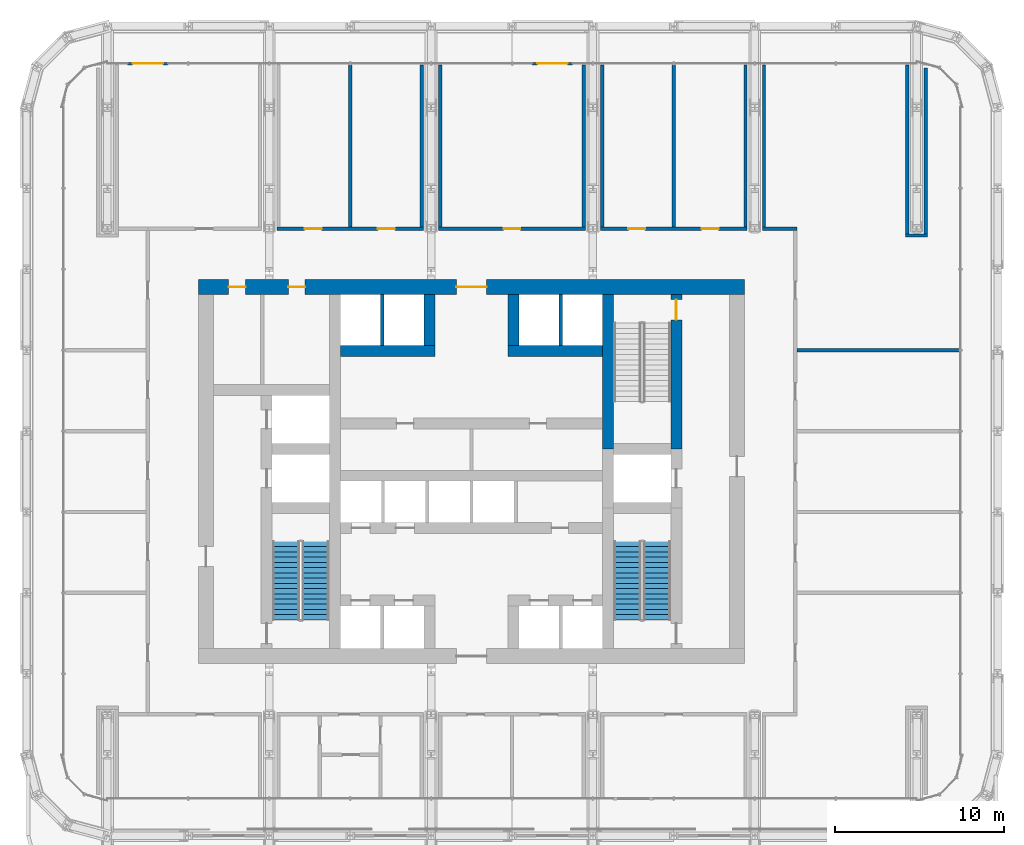
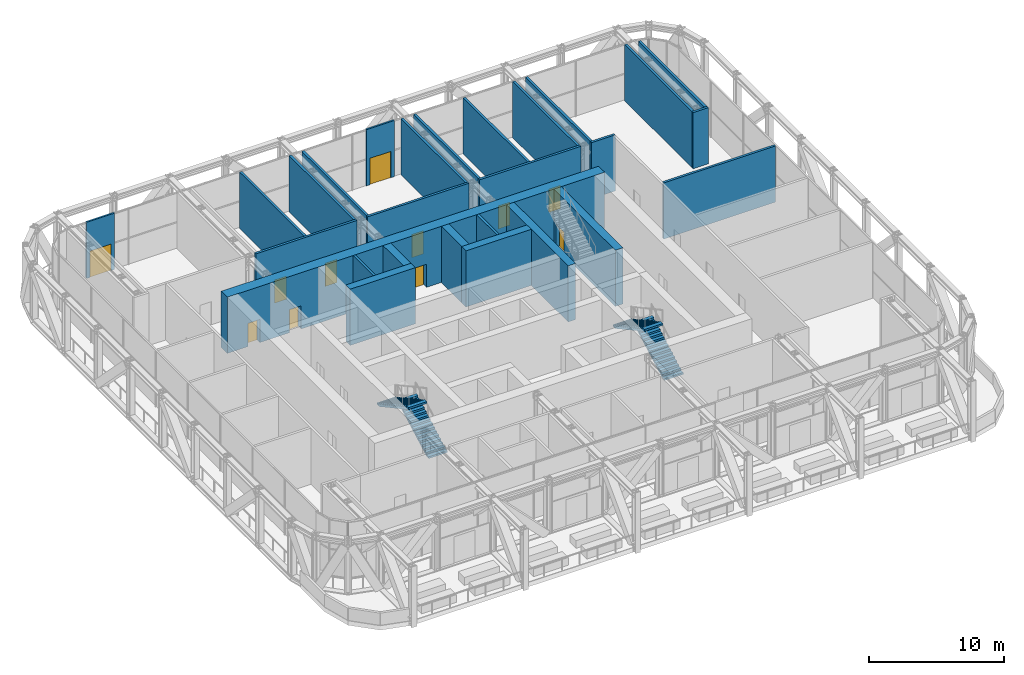
# One storey, part 17 of 23: 27 walls, 11 doors, 4 stair flights, 11 openings, 2 elements without a shape of their own.
"""IFC4 building model written with IfcOpenShell, lengths in metres."""

from ifc_helpers import new_model, si_unit, direction, frame, frame_2d, origin, place, context, subcontext, project, spatial, polyline, rectangle, outline, extrude, material, layer, layer_set, type_object, element, fill, aggregate, save


model = new_model("IFC4")

# Units and contexts
model_context = context("Model", 3, precision=1e-05, world=origin(), true_north=direction((0.0, 1.0)))
body_context = subcontext(model_context, "Body", "Model", "MODEL_VIEW")
ifc_project = project(units=[si_unit("LENGTHUNIT", "METRE"), si_unit("AREAUNIT", "SQUARE_METRE"), si_unit("VOLUMEUNIT", "CUBIC_METRE"), si_unit("PLANEANGLEUNIT", "RADIAN"), si_unit("MASSUNIT", "GRAM", prefix="KILO")], contexts=[model_context])

# Site, building, storey
site_placement = place(None, origin())
site = spatial("IfcSite", under=ifc_project, at=site_placement, CompositionType="ELEMENT")
building_placement = place(site_placement, origin())
building = spatial("IfcBuilding", under=site, at=building_placement, Name="Madar Terraces", CompositionType="ELEMENT")
storey_placement = place(building_placement, frame((0.0, 0.0, 83.800048828125)))
storey = spatial("IfcBuildingStorey", under=building, at=storey_placement, Name="L21", CompositionType="ELEMENT", Elevation=83.800048828125)

# Wall
ifc_material_1 = material(Name="Concrete C80/95", Category="concrete")
ifc_layer_1 = layer(ifc_material_1, 0.64990234375)
ifc_layer_set_1 = layer_set([ifc_layer_1], Name="Concrete C80/95 (CIW2 RC wall 650)")
wall_type_1 = type_object("IfcWallType", Name="CIW2 RC wall 650", PredefinedType="SHEAR", material=ifc_layer_set_1)
wall_1_placement = place(storey_placement, frame((39.300048828125, 27.75, 0.0), z_axis=(0.0, 0.0, 1.0), x_axis=(0.0, 1.0, 0.0)))
element("IfcWall", 1, at=wall_1_placement, inside=storey, type_object=wall_type_1, Name="CORE SHAFT WALL", PredefinedType="SHEAR", context=body_context, shape_type="SweptSolid", body=[
    extrude(rectangle(XDim=9.14990234375, YDim=0.64990234375, at=frame_2d((4.574951171875, 0.0))), origin(), (0.0, 0.0, 1.0), 5.099853515625),
])

# Wall, opening, door
wall_2_placement = place(storey_placement, frame((43.35009765625, 27.75, 0.0), z_axis=(0.0, 0.0, 1.0), x_axis=(0.0, 1.0, 0.0)))
wall_2 = element("IfcWall", 2, at=wall_2_placement, inside=storey, type_object=wall_type_1, Name="CORE SHAFT WALL", PredefinedType="SHEAR", context=body_context, shape_type="SweptSolid", body=[
    extrude(rectangle(XDim=9.14990234375, YDim=0.64990234375, at=frame_2d((4.574951171875, 0.0))), origin(), (0.0, 0.0, 1.0), 5.099853515625),
])
opening_1_placement = place(wall_2_placement, frame((7.64990234375, 0.0, 0.0)))
opening_1 = element("IfcOpeningElement", 3, at=opening_1_placement, cuts=wall_2, Name="Opening SD1", PredefinedType="OPENING", context=body_context, shape_type="SweptSolid", body=[
    extrude(rectangle(XDim=1.199951171875, YDim=2.10009765625, at=frame_2d((0.60009765625, 1.050048828125))), frame((0.0, 0.3349609375, 0.0), z_axis=(0.0, -1.0, 0.0), x_axis=(1.0, 0.0, 0.0)), (0.0, 0.0, 1.0), 0.669921875),
])
ifc_material_2 = material(Name="Steel door leaf", Category="steel")
door_type_1 = type_object("IfcDoorType", Name="Stair door 1200 x 2100", OperationType="NOTDEFINED", PredefinedType="DOOR", material=ifc_material_2)
door_1_placement = place(opening_1_placement, origin())
door_1 = element("IfcDoor", 4, at=door_1_placement, inside=storey, type_object=door_type_1, Name="STAIR DOOR", OperationType="SINGLE_SWING_LEFT", OverallHeight=2.10009765625, OverallWidth=1.199951171875, PredefinedType="DOOR", context=body_context, shape_type="SweptSolid", body=[
    extrude(rectangle(XDim=1.199951171875, YDim=2.10009765625, at=frame_2d((0.60009765625, 1.050048828125))), frame((0.0, 0.02490234375, 0.0), z_axis=(0.0, -1.0, 0.0), x_axis=(1.0, 0.0, 0.0)), (0.0, 0.0, 1.0), 0.050048828125),
])
fill(opening_1, door_1)

# Walls
wall_3_placement = place(storey_placement, frame((23.425048828125, 33.550048828125, 0.0), z_axis=(0.0, 0.0, 1.0), x_axis=(1.0, 0.0, 0.0)))
element("IfcWall", 5, at=wall_3_placement, inside=storey, type_object=wall_type_1, Name="CORE SHAFT WALL", PredefinedType="SHEAR", context=body_context, shape_type="SweptSolid", body=[
    extrude(rectangle(XDim=5.599853515625, YDim=0.64990234375, at=frame_2d((2.7998046875, 0.0))), origin(), (0.0, 0.0, 1.0), 5.099853515625),
])
wall_4_placement = place(storey_placement, frame((33.375, 33.550048828125, 0.0), z_axis=(0.0, 0.0, 1.0), x_axis=(1.0, 0.0, 0.0)))
element("IfcWall", 6, at=wall_4_placement, inside=storey, type_object=wall_type_1, Name="CORE SHAFT WALL", PredefinedType="SHEAR", context=body_context, shape_type="SweptSolid", body=[
    extrude(rectangle(XDim=5.60009765625, YDim=0.64990234375, at=frame_2d((2.800048828125, 0.0))), origin(), (0.0, 0.0, 1.0), 5.099853515625),
])
for number, where, z_axis, x_axis, name in (
    (7, (28.699951171875, 33.875, 0.0), (0.0, 0.0, 1.0), (0.0, 1.0, 0.0), "CORE SHAFT WALL"),
    (8, (33.699951171875, 33.875, 0.0), (0.0, 0.0, 1.0), (0.0, 1.0, 0.0), "CORE SHAFT WALL"),
):
    element("IfcWall", number, at=place(storey_placement, frame(where, z_axis=z_axis, x_axis=x_axis)), inside=storey, type_object=wall_type_1, Name=name, PredefinedType="SHEAR", context=body_context, shape_type="SweptSolid", body=[
        extrude(rectangle(XDim=3.02490234375, YDim=0.64990234375, at=frame_2d((1.512451171875, 0.0))), origin(), (0.0, 0.0, 1.0), 5.099853515625),
    ])

# Wall, openings, doors
ifc_material_3 = material(Name="Concrete C80/95", Category="concrete")
ifc_layer_2 = layer(ifc_material_3, 0.89990234375)
ifc_layer_set_2 = layer_set([ifc_layer_2], Name="Concrete C80/95 (CRW2 RC wall 900)")
wall_type_2 = type_object("IfcWallType", Name="CRW2 RC wall 900", PredefinedType="SHEAR", material=ifc_layer_set_2)
wall_5_placement = place(storey_placement, frame((15.0, 37.35009765625, 0.0), z_axis=(0.0, 0.0, 1.0), x_axis=(1.0, 0.0, 0.0)))
wall_5 = element("IfcWall", 9, at=wall_5_placement, inside=storey, type_object=wall_type_2, Name="CORE OUTER WALL", PredefinedType="SHEAR", context=body_context, shape_type="SweptSolid", body=[
    extrude(rectangle(XDim=32.39990234375, YDim=0.89990234375, at=frame_2d((16.199951171875, 0.0))), origin(), (0.0, 0.0, 1.0), 5.099853515625),
])
opening_2_placement = place(wall_5_placement, frame((15.300048828125, 0.0, 0.0)))
opening_2 = element("IfcOpeningElement", 10, at=opening_2_placement, cuts=wall_5, Name="Opening KD1", PredefinedType="OPENING", context=body_context, shape_type="SweptSolid", body=[
    extrude(rectangle(XDim=1.800048828125, YDim=2.10009765625, at=frame_2d((0.89990234375, 1.050048828125))), frame((0.0, 0.4599609375, 0.0), z_axis=(0.0, -1.0, 0.0), x_axis=(1.0, 0.0, 0.0)), (0.0, 0.0, 1.0), 0.919921875),
])
opening_3_placement = place(wall_5_placement, frame((1.793701171875, 0.0, 0.0)))
opening_3 = element("IfcOpeningElement", 11, at=opening_3_placement, cuts=wall_5, Name="Opening KD2", PredefinedType="OPENING", context=body_context, shape_type="SweptSolid", body=[
    extrude(rectangle(XDim=1.0, YDim=2.10009765625, at=frame_2d((0.5, 1.050048828125))), frame((0.0, 0.4599609375, 0.0), z_axis=(0.0, -1.0, 0.0), x_axis=(1.0, 0.0, 0.0)), (0.0, 0.0, 1.0), 0.919921875),
])
opening_4_placement = place(wall_5_placement, frame((5.331298828125, 0.0, 0.0)))
opening_4 = element("IfcOpeningElement", 12, at=opening_4_placement, cuts=wall_5, Name="Opening KD2", PredefinedType="OPENING", context=body_context, shape_type="SweptSolid", body=[
    extrude(rectangle(XDim=1.0, YDim=2.10009765625, at=frame_2d((0.5, 1.050048828125))), frame((0.0, 0.4599609375, 0.0), z_axis=(0.0, -1.0, 0.0), x_axis=(1.0, 0.0, 0.0)), (0.0, 0.0, 1.0), 0.919921875),
])
ifc_material_4 = material(Name="Steel door leaf", Category="steel")
door_type_2 = type_object("IfcDoorType", Name="Lobby door pair 1800 x 2100", OperationType="DOUBLE_DOOR_SINGLE_SWING", PredefinedType="DOOR", material=ifc_material_4)
door_2_placement = place(opening_2_placement, origin())
door_2 = element("IfcDoor", 13, at=door_2_placement, inside=storey, type_object=door_type_2, Name="LIFT LOBBY DOOR", OperationType="DOUBLE_DOOR_SINGLE_SWING", OverallHeight=2.10009765625, OverallWidth=1.800048828125, PredefinedType="DOOR", context=body_context, shape_type="SweptSolid", body=[
    extrude(rectangle(XDim=1.800048828125, YDim=2.10009765625, at=frame_2d((0.89990234375, 1.050048828125))), frame((0.0, 0.02490234375, 0.0), z_axis=(0.0, -1.0, 0.0), x_axis=(1.0, 0.0, 0.0)), (0.0, 0.0, 1.0), 0.050048828125),
])
fill(opening_2, door_2)
ifc_material_5 = material(Name="Steel door leaf", Category="steel")
door_type_3 = type_object("IfcDoorType", Name="Service room door 1000 x 2100", OperationType="NOTDEFINED", PredefinedType="DOOR", material=ifc_material_5)
door_3_placement = place(opening_3_placement, origin())
door_3 = element("IfcDoor", 14, at=door_3_placement, inside=storey, type_object=door_type_3, Name="SERVICE ROOM DOOR", OperationType="SINGLE_SWING_RIGHT", OverallHeight=2.10009765625, OverallWidth=1.0, PredefinedType="DOOR", context=body_context, shape_type="SweptSolid", body=[
    extrude(rectangle(XDim=1.0, YDim=2.10009765625, at=frame_2d((0.5, 1.050048828125))), frame((0.0, 0.02490234375, 0.0), z_axis=(0.0, -1.0, 0.0), x_axis=(1.0, 0.0, 0.0)), (0.0, 0.0, 1.0), 0.050048828125),
])
fill(opening_3, door_3)
door_4_placement = place(opening_4_placement, origin())
door_4 = element("IfcDoor", 15, at=door_4_placement, inside=storey, type_object=door_type_3, Name="SERVICE ROOM DOOR", OperationType="SINGLE_SWING_LEFT", OverallHeight=2.10009765625, OverallWidth=1.0, PredefinedType="DOOR", context=body_context, shape_type="SweptSolid", body=[
    extrude(rectangle(XDim=1.0, YDim=2.10009765625, at=frame_2d((0.5, 1.050048828125))), frame((0.0, 0.02490234375, 0.0), z_axis=(0.0, -1.0, 0.0), x_axis=(1.0, 0.0, 0.0)), (0.0, 0.0, 1.0), 0.050048828125),
])
fill(opening_4, door_4)

# Walls
ifc_material_6 = material(Name="Concrete C40/50", Category="concrete")
ifc_layer_3 = layer(ifc_material_6, 0.199951171875)
ifc_layer_set_3 = layer_set([ifc_layer_3], Name="Core shaft dividing wall 200 C40/50")
wall_type_3 = type_object("IfcWallType", Name="Core shaft dividing wall 200 C40/50", PredefinedType="SOLIDWALL", material=ifc_layer_set_3)
for number, where, z_axis, x_axis, name in (
    (16, (25.89990234375, 33.875, 0.0), (0.0, 0.0, 1.0), (0.0, 1.0, 0.0), "SHAFT DIVIDING WALL"),
    (17, (36.5, 33.875, 0.0), (0.0, 0.0, 1.0), (0.0, 1.0, 0.0), "SHAFT DIVIDING WALL"),
):
    element("IfcWall", number, at=place(storey_placement, frame(where, z_axis=z_axis, x_axis=x_axis)), inside=storey, type_object=wall_type_3, Name=name, PredefinedType="SOLIDWALL", context=body_context, shape_type="SweptSolid", body=[
        extrude(rectangle(XDim=3.02490234375, YDim=0.199951171875, at=frame_2d((1.512451171875, 0.0))), origin(), (0.0, 0.0, 1.0), 5.099853515625),
    ])

# Wall, opening, door
ifc_material_7 = material(Name="Aluminium composite panel, black, over insulated backing", Category="aluminium")
ifc_layer_4 = layer(ifc_material_7, 0.14990234375)
ifc_layer_set_4 = layer_set([ifc_layer_4], Name="Facade bay panel 150")
wall_type_4 = type_object("IfcWallType", Name="Facade bay panel 150", PredefinedType="SOLIDWALL", material=ifc_layer_set_4)
wall_6_placement = place(storey_placement, frame((37.199951171875, 50.60009765625, 0.0), z_axis=(0.0, 0.0, 1.0), x_axis=(-1.0, 0.0, 0.0)))
wall_6 = element("IfcWall", 18, at=wall_6_placement, inside=storey, type_object=wall_type_4, Name="Facade bay panel", PredefinedType="SOLIDWALL", context=body_context, shape_type="SweptSolid", body=[
    extrude(rectangle(XDim=2.39990234375, YDim=0.14990234375, at=frame_2d((1.199951171875, 0.0))), origin(), (0.0, 0.0, 1.0), 5.099853515625),
])
opening_5_placement = place(wall_6_placement, frame((0.300048828125, 0.0, 0.0)))
opening_5 = element("IfcOpeningElement", 19, at=opening_5_placement, cuts=wall_6, Name="Opening ED1", PredefinedType="OPENING", context=body_context, shape_type="SweptSolid", body=[
    extrude(rectangle(XDim=1.800048828125, YDim=2.39990234375, at=frame_2d((0.89990234375, 1.199951171875))), frame((0.0, 0.0849609375, 0.0), z_axis=(0.0, -1.0, 0.0), x_axis=(1.0, 0.0, 0.0)), (0.0, 0.0, 1.0), 0.169921875),
])
ifc_material_8 = material(Name="Glass, clear, with black aluminium frame", Category="aluminium")
door_type_4 = type_object("IfcDoorType", Name="Balcony and terrace sliding door 1800 x 2400", OperationType="SLIDING_TO_LEFT", PredefinedType="DOOR", material=ifc_material_8)
door_5_placement = place(opening_5_placement, origin())
door_5 = element("IfcDoor", 20, at=door_5_placement, inside=storey, type_object=door_type_4, Name="Balcony door", OperationType="SLIDING_TO_RIGHT", OverallHeight=2.39990234375, OverallWidth=1.800048828125, PredefinedType="DOOR", context=body_context, shape_type="SweptSolid", body=[
    extrude(rectangle(XDim=1.800048828125, YDim=2.39990234375, at=frame_2d((0.89990234375, 1.199951171875))), frame((0.0, 0.02490234375, 0.0), z_axis=(0.0, -1.0, 0.0), x_axis=(1.0, 0.0, 0.0)), (0.0, 0.0, 1.0), 0.050048828125),
])
fill(opening_5, door_5)

wall_7_placement = place(storey_placement, frame((13.199951171875, 50.60009765625, 0.0), z_axis=(0.0, 0.0, 1.0), x_axis=(-1.0, 0.0, 0.0)))
wall_7 = element("IfcWall", 21, at=wall_7_placement, inside=storey, type_object=wall_type_4, Name="Facade bay panel", PredefinedType="SOLIDWALL", context=body_context, shape_type="SweptSolid", body=[
    extrude(rectangle(XDim=2.39990234375, YDim=0.14990234375, at=frame_2d((1.199951171875, 0.0))), origin(), (0.0, 0.0, 1.0), 5.099853515625),
])
opening_6_placement = place(wall_7_placement, frame((0.300048828125, 0.0, 0.0)))
opening_6 = element("IfcOpeningElement", 22, at=opening_6_placement, cuts=wall_7, Name="Opening ED1", PredefinedType="OPENING", context=body_context, shape_type="SweptSolid", body=[
    extrude(rectangle(XDim=1.800048828125, YDim=2.39990234375, at=frame_2d((0.89990234375, 1.199951171875))), frame((0.0, 0.0849609375, 0.0), z_axis=(0.0, -1.0, 0.0), x_axis=(1.0, 0.0, 0.0)), (0.0, 0.0, 1.0), 0.169921875),
])
door_6_placement = place(opening_6_placement, origin())
door_6 = element("IfcDoor", 23, at=door_6_placement, inside=storey, type_object=door_type_4, Name="Balcony door", OperationType="SLIDING_TO_LEFT", OverallHeight=2.39990234375, OverallWidth=1.800048828125, PredefinedType="DOOR", context=body_context, shape_type="SweptSolid", body=[
    extrude(rectangle(XDim=1.800048828125, YDim=2.39990234375, at=frame_2d((0.89990234375, 1.199951171875))), frame((0.0, 0.02490234375, 0.0), z_axis=(0.0, -1.0, 0.0), x_axis=(1.0, 0.0, 0.0)), (0.0, 0.0, 1.0), 0.050048828125),
])
fill(opening_6, door_6)

# Wall
ifc_material_9 = material(Name="Gypsum board partition, fire-rated")
ifc_layer_5 = layer(ifc_material_9, 0.199951171875)
ifc_layer_set_5 = layer_set([ifc_layer_5], Name="Partition 200 EI 60")
wall_type_5 = type_object("IfcWallType", Name="Partition 200 EI 60", PredefinedType="PARTITIONING", material=ifc_layer_set_5)
wall_8_placement = place(storey_placement, frame((50.5, 33.60009765625, 0.0), z_axis=(0.0, 0.0, 1.0), x_axis=(1.0, 0.0, 0.0)))
element("IfcWall", 24, at=wall_8_placement, inside=storey, type_object=wall_type_5, Name="Wall ACTIVITY ROOM / OFFICE", PredefinedType="PARTITIONING", context=body_context, shape_type="SweptSolid", body=[
    extrude(rectangle(XDim=9.60009765625, YDim=0.199951171875, at=frame_2d((4.800048828125, 0.0))), origin(), (0.0, 0.0, 1.0), 5.099853515625),
])

# Wall, openings, doors
wall_9_placement = place(storey_placement, frame((19.64990234375, 40.800048828125, 0.0), z_axis=(0.0, 0.0, 1.0), x_axis=(1.0, 0.0, 0.0)))
wall_9 = element("IfcWall", 25, at=wall_9_placement, inside=storey, type_object=wall_type_5, Name="Wall OFFICE + QUIET ROOM", PredefinedType="PARTITIONING", context=body_context, shape_type="SweptSolid", body=[
    extrude(rectangle(XDim=8.7001953125, YDim=0.199951171875, at=frame_2d((4.35009765625, 0.0))), origin(), (0.0, 0.0, 1.0), 5.099853515625),
])
opening_7_placement = place(wall_9_placement, frame((1.64990234375, 0.0, 0.0)))
opening_7 = element("IfcOpeningElement", 26, at=opening_7_placement, cuts=wall_9, Name="Opening D31", PredefinedType="OPENING", context=body_context, shape_type="SweptSolid", body=[
    extrude(rectangle(XDim=1.0, YDim=2.10009765625, at=frame_2d((0.5, 1.050048828125))), frame((0.0, 0.10986328125, 0.0), z_axis=(0.0, -1.0, 0.0), x_axis=(1.0, 0.0, 0.0)), (0.0, 0.0, 1.0), 0.219970703125),
])
opening_8_placement = place(wall_9_placement, frame((6.0, 0.0, 0.0)))
opening_8 = element("IfcOpeningElement", 27, at=opening_8_placement, cuts=wall_9, Name="Opening D31", PredefinedType="OPENING", context=body_context, shape_type="SweptSolid", body=[
    extrude(rectangle(XDim=1.0, YDim=2.10009765625, at=frame_2d((0.5, 1.050048828125))), frame((0.0, 0.10986328125, 0.0), z_axis=(0.0, -1.0, 0.0), x_axis=(1.0, 0.0, 0.0)), (0.0, 0.0, 1.0), 0.219970703125),
])
ifc_material_10 = material(Name="Timber door leaf, fire-rated", Category="wood")
door_type_5 = type_object("IfcDoorType", Name="Podium door 1000 x 2100 FD30S", OperationType="NOTDEFINED", PredefinedType="DOOR", material=ifc_material_10)
door_7_placement = place(opening_7_placement, origin())
door_7 = element("IfcDoor", 28, at=door_7_placement, inside=storey, type_object=door_type_5, Name="Door OFFICE / RING CORRIDOR", OperationType="SINGLE_SWING_LEFT", OverallHeight=2.10009765625, OverallWidth=1.0, PredefinedType="DOOR", context=body_context, shape_type="SweptSolid", body=[
    extrude(rectangle(XDim=1.0, YDim=2.10009765625, at=frame_2d((0.5, 1.050048828125))), frame((0.0, 0.02490234375, 0.0), z_axis=(0.0, -1.0, 0.0), x_axis=(1.0, 0.0, 0.0)), (0.0, 0.0, 1.0), 0.050048828125),
])
fill(opening_7, door_7)
door_8_placement = place(opening_8_placement, origin())
door_8 = element("IfcDoor", 29, at=door_8_placement, inside=storey, type_object=door_type_5, Name="Door QUIET ROOM / RING CORRIDOR", OperationType="SINGLE_SWING_LEFT", OverallHeight=2.10009765625, OverallWidth=1.0, PredefinedType="DOOR", context=body_context, shape_type="SweptSolid", body=[
    extrude(rectangle(XDim=1.0, YDim=2.10009765625, at=frame_2d((0.5, 1.050048828125))), frame((0.0, 0.02490234375, 0.0), z_axis=(0.0, -1.0, 0.0), x_axis=(1.0, 0.0, 0.0)), (0.0, 0.0, 1.0), 0.050048828125),
])
fill(opening_8, door_8)

# Wall, opening, door
wall_10_placement = place(storey_placement, frame((29.25, 40.800048828125, 0.0), z_axis=(0.0, 0.0, 1.0), x_axis=(1.0, 0.0, 0.0)))
wall_10 = element("IfcWall", 30, at=wall_10_placement, inside=storey, type_object=wall_type_5, Name="Wall NURSERY PLAY ROOM / RING CORRIDOR", PredefinedType="PARTITIONING", context=body_context, shape_type="SweptSolid", body=[
    extrude(rectangle(XDim=8.699951171875, YDim=0.199951171875, at=frame_2d((4.35009765625, 0.0))), origin(), (0.0, 0.0, 1.0), 5.099853515625),
])
opening_9_placement = place(wall_10_placement, frame((3.85009765625, 0.0, 0.0)))
opening_9 = element("IfcOpeningElement", 31, at=opening_9_placement, cuts=wall_10, Name="Opening D31", PredefinedType="OPENING", context=body_context, shape_type="SweptSolid", body=[
    extrude(rectangle(XDim=1.0, YDim=2.10009765625, at=frame_2d((0.5, 1.050048828125))), frame((0.0, 0.10986328125, 0.0), z_axis=(0.0, -1.0, 0.0), x_axis=(1.0, 0.0, 0.0)), (0.0, 0.0, 1.0), 0.219970703125),
])
door_9_placement = place(opening_9_placement, origin())
door_9 = element("IfcDoor", 32, at=door_9_placement, inside=storey, type_object=door_type_5, Name="Door NURSERY PLAY ROOM / RING CORRIDOR", OperationType="SINGLE_SWING_LEFT", OverallHeight=2.10009765625, OverallWidth=1.0, PredefinedType="DOOR", context=body_context, shape_type="SweptSolid", body=[
    extrude(rectangle(XDim=1.0, YDim=2.10009765625, at=frame_2d((0.5, 1.050048828125))), frame((0.0, 0.02490234375, 0.0), z_axis=(0.0, -1.0, 0.0), x_axis=(1.0, 0.0, 0.0)), (0.0, 0.0, 1.0), 0.050048828125),
])
fill(opening_9, door_9)

# Wall, openings, doors
wall_11_placement = place(storey_placement, frame((38.85009765625, 40.800048828125, 0.0), z_axis=(0.0, 0.0, 1.0), x_axis=(1.0, 0.0, 0.0)))
wall_11 = element("IfcWall", 33, at=wall_11_placement, inside=storey, type_object=wall_type_5, Name="Wall ART ROOM + STAFF ROOM", PredefinedType="PARTITIONING", context=body_context, shape_type="SweptSolid", body=[
    extrude(rectangle(XDim=8.699951171875, YDim=0.199951171875, at=frame_2d((4.35009765625, 0.0))), origin(), (0.0, 0.0, 1.0), 5.099853515625),
])
opening_10_placement = place(wall_11_placement, frame((1.64990234375, 0.0, 0.0)))
opening_10 = element("IfcOpeningElement", 34, at=opening_10_placement, cuts=wall_11, Name="Opening D31", PredefinedType="OPENING", context=body_context, shape_type="SweptSolid", body=[
    extrude(rectangle(XDim=1.0, YDim=2.10009765625, at=frame_2d((0.5, 1.050048828125))), frame((0.0, 0.10986328125, 0.0), z_axis=(0.0, -1.0, 0.0), x_axis=(1.0, 0.0, 0.0)), (0.0, 0.0, 1.0), 0.219970703125),
])
opening_11_placement = place(wall_11_placement, frame((6.0, 0.0, 0.0)))
opening_11 = element("IfcOpeningElement", 35, at=opening_11_placement, cuts=wall_11, Name="Opening D31", PredefinedType="OPENING", context=body_context, shape_type="SweptSolid", body=[
    extrude(rectangle(XDim=1.0, YDim=2.10009765625, at=frame_2d((0.5, 1.050048828125))), frame((0.0, 0.10986328125, 0.0), z_axis=(0.0, -1.0, 0.0), x_axis=(1.0, 0.0, 0.0)), (0.0, 0.0, 1.0), 0.219970703125),
])
door_10_placement = place(opening_10_placement, origin())
door_10 = element("IfcDoor", 36, at=door_10_placement, inside=storey, type_object=door_type_5, Name="Door ART ROOM / RING CORRIDOR", OperationType="SINGLE_SWING_LEFT", OverallHeight=2.10009765625, OverallWidth=1.0, PredefinedType="DOOR", context=body_context, shape_type="SweptSolid", body=[
    extrude(rectangle(XDim=1.0, YDim=2.10009765625, at=frame_2d((0.5, 1.050048828125))), frame((0.0, 0.02490234375, 0.0), z_axis=(0.0, -1.0, 0.0), x_axis=(1.0, 0.0, 0.0)), (0.0, 0.0, 1.0), 0.050048828125),
])
fill(opening_10, door_10)
door_11_placement = place(opening_11_placement, origin())
door_11 = element("IfcDoor", 37, at=door_11_placement, inside=storey, type_object=door_type_5, Name="Door STAFF ROOM / RING CORRIDOR", OperationType="SINGLE_SWING_LEFT", OverallHeight=2.10009765625, OverallWidth=1.0, PredefinedType="DOOR", context=body_context, shape_type="SweptSolid", body=[
    extrude(rectangle(XDim=1.0, YDim=2.10009765625, at=frame_2d((0.5, 1.050048828125))), frame((0.0, 0.02490234375, 0.0), z_axis=(0.0, -1.0, 0.0), x_axis=(1.0, 0.0, 0.0)), (0.0, 0.0, 1.0), 0.050048828125),
])
fill(opening_11, door_11)

# Walls
wall_12_placement = place(storey_placement, frame((48.449951171875, 40.800048828125, 0.0), z_axis=(0.0, 0.0, 1.0), x_axis=(1.0, 0.0, 0.0)))
element("IfcWall", 38, at=wall_12_placement, inside=storey, type_object=wall_type_5, Name="Wall OFFICE / RING CORRIDOR", PredefinedType="PARTITIONING", context=body_context, shape_type="SweptSolid", body=[
    extrude(rectangle(XDim=2.050048828125, YDim=0.199951171875, at=frame_2d((1.02490234375, 0.0))), origin(), (0.0, 0.0, 1.0), 5.099853515625),
])
for number, where, z_axis, x_axis, name in (
    (39, (24.0, 40.89990234375, 0.0), (0.0, 0.0, 1.0), (0.0, 1.0, 0.0), "Wall OFFICE / QUIET ROOM"),
    (40, (43.199951171875, 40.89990234375, 0.0), (0.0, 0.0, 1.0), (0.0, 1.0, 0.0), "Wall ART ROOM / STAFF ROOM"),
):
    element("IfcWall", number, at=place(storey_placement, frame(where, z_axis=z_axis, x_axis=x_axis)), inside=storey, type_object=wall_type_5, Name=name, PredefinedType="PARTITIONING", context=body_context, shape_type="SweptSolid", body=[
        extrude(rectangle(XDim=9.60009765625, YDim=0.199951171875, at=frame_2d((4.800048828125, 0.0))), origin(), (0.0, 0.0, 1.0), 5.099853515625),
    ])
ifc_material_11 = material(Name="Gypsum board partition on metal studs")
ifc_layer_6 = layer(ifc_material_11, 0.199951171875)
ifc_layer_set_6 = layer_set([ifc_layer_6], Name="Partition 200 plain")
wall_type_6 = type_object("IfcWallType", Name="Partition 200 plain", PredefinedType="PARTITIONING", material=ifc_layer_set_6)
wall_13_placement = place(storey_placement, frame((56.949951171875, 40.39990234375, 0.0), z_axis=(0.0, 0.0, 1.0), x_axis=(1.0, 0.0, 0.0)))
element("IfcWall", 41, at=wall_13_placement, inside=storey, type_object=wall_type_6, Name="Wall OFFICE / TRUSS SLOT", PredefinedType="PARTITIONING", context=body_context, shape_type="SweptSolid", body=[
    extrude(rectangle(XDim=1.300048828125, YDim=0.199951171875, at=frame_2d((0.64990234375, 0.0))), origin(), (0.0, 0.0, 1.0), 5.099853515625),
])
for number, where, z_axis, x_axis, name in (
    (42, (28.25, 40.89990234375, 0.0), (0.0, 0.0, 1.0), (0.0, 1.0, 0.0), "Wall QUIET ROOM / TRUSS SLOT"),
    (43, (29.35009765625, 40.89990234375, 0.0), (0.0, 0.0, 1.0), (0.0, 1.0, 0.0), "Wall NURSERY PLAY ROOM / TRUSS SLOT"),
    (44, (37.85009765625, 40.89990234375, 0.0), (0.0, 0.0, 1.0), (0.0, 1.0, 0.0), "Wall NURSERY PLAY ROOM / TRUSS SLOT"),
    (45, (38.949951171875, 40.89990234375, 0.0), (0.0, 0.0, 1.0), (0.0, 1.0, 0.0), "Wall ART ROOM / TRUSS SLOT"),
    (46, (47.449951171875, 40.89990234375, 0.0), (0.0, 0.0, 1.0), (0.0, 1.0, 0.0), "Wall STAFF ROOM / TRUSS SLOT"),
    (47, (48.550048828125, 40.89990234375, 0.0), (0.0, 0.0, 1.0), (0.0, 1.0, 0.0), "Wall OFFICE / TRUSS SLOT"),
):
    element("IfcWall", number, at=place(storey_placement, frame(where, z_axis=z_axis, x_axis=x_axis)), inside=storey, type_object=wall_type_6, Name=name, PredefinedType="PARTITIONING", context=body_context, shape_type="SweptSolid", body=[
        extrude(rectangle(XDim=9.60009765625, YDim=0.199951171875, at=frame_2d((4.800048828125, 0.0))), origin(), (0.0, 0.0, 1.0), 5.099853515625),
    ])
wall_14_placement = place(storey_placement, frame((57.050048828125, 40.5, 0.0), z_axis=(0.0, 0.0, 1.0), x_axis=(0.0, 1.0, 0.0)))
element("IfcWall", 48, at=wall_14_placement, inside=storey, type_object=wall_type_6, Name="Wall OFFICE / TRUSS SLOT", PredefinedType="PARTITIONING", context=body_context, shape_type="SweptSolid", body=[
    extrude(rectangle(XDim=10.0, YDim=0.199951171875, at=frame_2d((5.0, 0.0))), origin(), (0.0, 0.0, 1.0), 5.099853515625),
])
wall_15_placement = place(storey_placement, frame((58.14990234375, 40.5, 0.0), z_axis=(0.0, 0.0, 1.0), x_axis=(0.0, 1.0, 0.0)))
element("IfcWall", 49, at=wall_15_placement, inside=storey, type_object=wall_type_6, Name="Wall OFFICE / TRUSS SLOT", PredefinedType="PARTITIONING", context=body_context, shape_type="SweptSolid", body=[
    extrude(rectangle(XDim=9.85009765625, YDim=0.199951171875, at=frame_2d((4.925048828125, 0.0))), origin(), (0.0, 0.0, 1.0), 5.099853515625),
])

# Stair, stair flights
ifc_material_12 = material(Name="Concrete C50/60", Category="concrete")
stair_type_1 = type_object("IfcStairType", Name="Stair ST1 protected exit", PredefinedType="HALF_TURN_STAIR", material=ifc_material_12)
stair_1_placement = place(storey_placement, origin())
stair_1 = element("IfcStair", 50, at=stair_1_placement, inside=storey, type_object=stair_type_1, Name="L21 Protected Exit Stair ST1", PredefinedType="HALF_TURN_STAIR")
ifc_material_13 = material(Name="Concrete C50/60", Category="concrete")
stair_flight_type_1 = type_object("IfcStairFlightType", Name="Stair flight ST1-F3, 1600 wide, 16 risers", PredefinedType="STRAIGHT", material=ifc_material_13)
stair_flight_1_placement = place(storey_placement, frame((21.949951171875, 17.60009765625, 0.0), z_axis=(0.0, 0.0, 1.0), x_axis=(0.0, 1.0, 0.0)))
stair_flight_1 = element("IfcStairFlight", 51, at=stair_flight_1_placement, type_object=stair_flight_type_1, Name="ST1 flight 1", NumberOfRisers=16, NumberOfTreads=15, PredefinedType="STRAIGHT", RiserHeight=0.16875, TreadLength=0.31, context=body_context, shape_type="SweptSolid", body=[
    extrude(outline(polyline([(0.0, 0.0), (0.0, 0.168701171875), (0.31005859375, 0.168701171875), (0.31005859375, 0.33740234375), (0.6201171875, 0.33740234375), (0.6201171875, 0.50634765625), (0.929931640625, 0.50634765625), (0.929931640625, 0.675048828125), (1.239990234375, 0.675048828125), (1.239990234375, 0.84375), (1.550048828125, 0.84375), (1.550048828125, 1.012451171875), (1.860107421875, 1.012451171875), (1.860107421875, 1.18115234375), (2.169921875, 1.18115234375), (2.169921875, 1.35009765625), (2.47998046875, 1.35009765625), (2.47998046875, 1.518798828125), (2.7900390625, 1.518798828125), (2.7900390625, 1.6875), (3.10009765625, 1.6875), (3.10009765625, 1.856201171875), (3.409912109375, 1.856201171875), (3.409912109375, 2.02490234375), (3.719970703125, 2.02490234375), (3.719970703125, 2.19384765625), (4.030029296875, 2.19384765625), (4.030029296875, 2.362548828125), (4.340087890625, 2.362548828125), (4.340087890625, 2.53125), (4.64990234375, 2.53125), (4.64990234375, 2.699951171875), (4.64990234375, 2.360595703125), (0.3134765625, 0.0), (0.0, 0.0)])), frame((0.0, 0.800048828125, 0.0), z_axis=(0.0, -1.0, 0.0), x_axis=(1.0, 0.0, 0.0)), (0.0, 0.0, 1.0), 1.60009765625),
])
stair_flight_2_placement = place(storey_placement, frame((20.199951171875, 22.25, 2.699951171875), z_axis=(0.0, 0.0, 1.0), x_axis=(0.0, -1.0, 0.0)))
stair_flight_2 = element("IfcStairFlight", 52, at=stair_flight_2_placement, type_object=stair_flight_type_1, Name="ST1 flight 2", NumberOfRisers=16, NumberOfTreads=15, PredefinedType="STRAIGHT", RiserHeight=0.16875, TreadLength=0.31, context=body_context, shape_type="SweptSolid", body=[
    extrude(outline(polyline([(0.0, 0.0), (0.0, 0.168701171875), (0.31005859375, 0.168701171875), (0.31005859375, 0.33740234375), (0.6201171875, 0.33740234375), (0.6201171875, 0.50634765625), (0.929931640625, 0.50634765625), (0.929931640625, 0.675048828125), (1.239990234375, 0.675048828125), (1.239990234375, 0.84375), (1.550048828125, 0.84375), (1.550048828125, 1.012451171875), (1.860107421875, 1.012451171875), (1.860107421875, 1.18115234375), (2.169921875, 1.18115234375), (2.169921875, 1.35009765625), (2.47998046875, 1.35009765625), (2.47998046875, 1.518798828125), (2.7900390625, 1.518798828125), (2.7900390625, 1.6875), (3.10009765625, 1.6875), (3.10009765625, 1.856201171875), (3.409912109375, 1.856201171875), (3.409912109375, 2.02490234375), (3.719970703125, 2.02490234375), (3.719970703125, 2.19384765625), (4.030029296875, 2.19384765625), (4.030029296875, 2.362548828125), (4.340087890625, 2.362548828125), (4.340087890625, 2.53125), (4.64990234375, 2.53125), (4.64990234375, 2.699951171875), (4.64990234375, 2.360595703125), (0.3134765625, 0.0), (0.0, 0.0)])), frame((0.0, 0.800048828125, 0.0), z_axis=(0.0, -1.0, 0.0), x_axis=(1.0, 0.0, 0.0)), (0.0, 0.0, 1.0), 1.60009765625),
])
aggregate(stair_1, [stair_flight_1, stair_flight_2])

ifc_material_14 = material(Name="Concrete C50/60", Category="concrete")
stair_type_2 = type_object("IfcStairType", Name="Stair ST3 protected exit", PredefinedType="HALF_TURN_STAIR", material=ifc_material_14)
stair_2_placement = place(storey_placement, origin())
stair_2 = element("IfcStair", 53, at=stair_2_placement, inside=storey, type_object=stair_type_2, Name="L21 Protected Exit Stair ST3", PredefinedType="HALF_TURN_STAIR")
ifc_material_15 = material(Name="Concrete C50/60", Category="concrete")
stair_flight_type_2 = type_object("IfcStairFlightType", Name="Stair flight ST3-F3, 1600 wide, 16 risers", PredefinedType="STRAIGHT", material=ifc_material_15)
stair_flight_3_placement = place(storey_placement, frame((42.199951171875, 17.60009765625, 0.0), z_axis=(0.0, 0.0, 1.0), x_axis=(0.0, 1.0, 0.0)))
stair_flight_3 = element("IfcStairFlight", 54, at=stair_flight_3_placement, type_object=stair_flight_type_2, Name="ST3 flight 1", NumberOfRisers=16, NumberOfTreads=15, PredefinedType="STRAIGHT", RiserHeight=0.16875, TreadLength=0.31, context=body_context, shape_type="SweptSolid", body=[
    extrude(outline(polyline([(0.0, 0.0), (0.0, 0.168701171875), (0.31005859375, 0.168701171875), (0.31005859375, 0.33740234375), (0.6201171875, 0.33740234375), (0.6201171875, 0.50634765625), (0.929931640625, 0.50634765625), (0.929931640625, 0.675048828125), (1.239990234375, 0.675048828125), (1.239990234375, 0.84375), (1.550048828125, 0.84375), (1.550048828125, 1.012451171875), (1.860107421875, 1.012451171875), (1.860107421875, 1.18115234375), (2.169921875, 1.18115234375), (2.169921875, 1.35009765625), (2.47998046875, 1.35009765625), (2.47998046875, 1.518798828125), (2.7900390625, 1.518798828125), (2.7900390625, 1.6875), (3.10009765625, 1.6875), (3.10009765625, 1.856201171875), (3.409912109375, 1.856201171875), (3.409912109375, 2.02490234375), (3.719970703125, 2.02490234375), (3.719970703125, 2.19384765625), (4.030029296875, 2.19384765625), (4.030029296875, 2.362548828125), (4.340087890625, 2.362548828125), (4.340087890625, 2.53125), (4.64990234375, 2.53125), (4.64990234375, 2.699951171875), (4.64990234375, 2.360595703125), (0.3134765625, 0.0), (0.0, 0.0)])), frame((0.0, 0.800048828125, 0.0), z_axis=(0.0, -1.0, 0.0), x_axis=(1.0, 0.0, 0.0)), (0.0, 0.0, 1.0), 1.60009765625),
])
stair_flight_4_placement = place(storey_placement, frame((40.449951171875, 22.25, 2.699951171875), z_axis=(0.0, 0.0, 1.0), x_axis=(0.0, -1.0, 0.0)))
stair_flight_4 = element("IfcStairFlight", 55, at=stair_flight_4_placement, type_object=stair_flight_type_2, Name="ST3 flight 2", NumberOfRisers=16, NumberOfTreads=15, PredefinedType="STRAIGHT", RiserHeight=0.16875, TreadLength=0.31, context=body_context, shape_type="SweptSolid", body=[
    extrude(outline(polyline([(0.0, 0.0), (0.0, 0.168701171875), (0.31005859375, 0.168701171875), (0.31005859375, 0.33740234375), (0.6201171875, 0.33740234375), (0.6201171875, 0.50634765625), (0.929931640625, 0.50634765625), (0.929931640625, 0.675048828125), (1.239990234375, 0.675048828125), (1.239990234375, 0.84375), (1.550048828125, 0.84375), (1.550048828125, 1.012451171875), (1.860107421875, 1.012451171875), (1.860107421875, 1.18115234375), (2.169921875, 1.18115234375), (2.169921875, 1.35009765625), (2.47998046875, 1.35009765625), (2.47998046875, 1.518798828125), (2.7900390625, 1.518798828125), (2.7900390625, 1.6875), (3.10009765625, 1.6875), (3.10009765625, 1.856201171875), (3.409912109375, 1.856201171875), (3.409912109375, 2.02490234375), (3.719970703125, 2.02490234375), (3.719970703125, 2.19384765625), (4.030029296875, 2.19384765625), (4.030029296875, 2.362548828125), (4.340087890625, 2.362548828125), (4.340087890625, 2.53125), (4.64990234375, 2.53125), (4.64990234375, 2.699951171875), (4.64990234375, 2.360595703125), (0.3134765625, 0.0), (0.0, 0.0)])), frame((0.0, 0.800048828125, 0.0), z_axis=(0.0, -1.0, 0.0), x_axis=(1.0, 0.0, 0.0)), (0.0, 0.0, 1.0), 1.60009765625),
])
aggregate(stair_2, [stair_flight_3, stair_flight_4])

save(model, "model.ifc")
